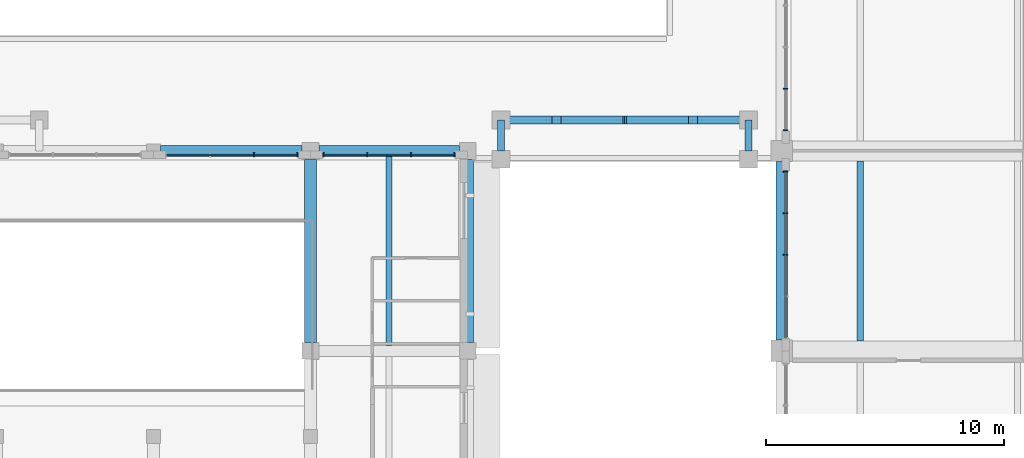
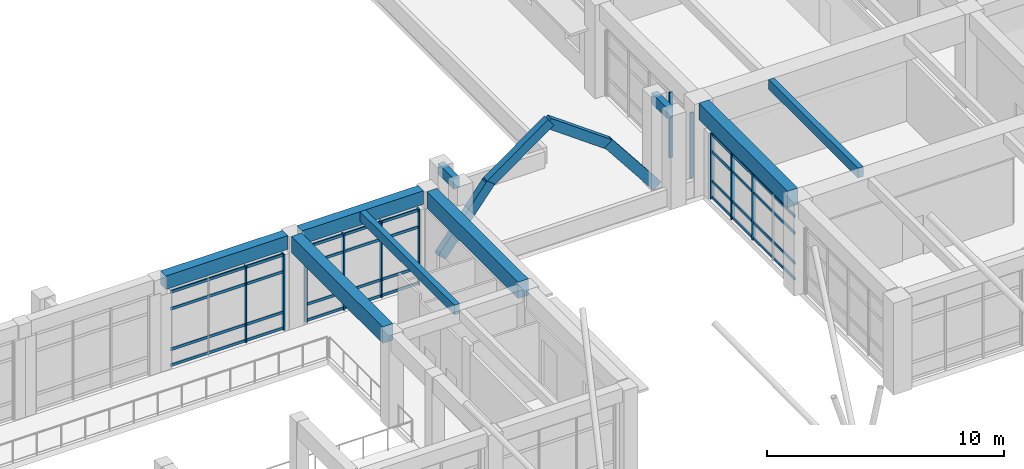
# One storey, part 23 of 75: 27 members, 9 beams, 4 elements without a shape of their own.
"""IFC4 building model written with IfcOpenShell, lengths in metres."""

from ifc_helpers import new_model, si_unit, direction, frame, origin, origin_2d, place, context, subcontext, project, spatial, rectangle, extrude, material, layer, layer_set, material_profile, profile_set, type_object, element, aggregate, save


model = new_model("IFC4")

# Units and contexts
model_context = context("Model", 3, precision=1e-05, world=origin(), true_north=direction((0.0, 1.0)))
body_context = subcontext(model_context, "Body", "Model", "MODEL_VIEW")
ifc_project = project(units=[si_unit("LENGTHUNIT", "METRE"), si_unit("AREAUNIT", "SQUARE_METRE"), si_unit("VOLUMEUNIT", "CUBIC_METRE"), si_unit("PLANEANGLEUNIT", "RADIAN"), si_unit("MASSUNIT", "GRAM", prefix="KILO")], contexts=[model_context])

# Site, building, storey
site_placement = place(None, origin())
site = spatial("IfcSite", under=ifc_project, at=site_placement, CompositionType="ELEMENT")
building_placement = place(site_placement, origin())
building = spatial("IfcBuilding", under=site, at=building_placement, Name="Kolvaren Faculty of Natural Sciences", CompositionType="ELEMENT")
storey_placement = place(building_placement, frame((0.0, 0.0, 5.39990234375)))
storey = spatial("IfcBuildingStorey", under=building, at=storey_placement, Name="L01", CompositionType="ELEMENT", Elevation=5.39990234375)

# Curtain wall, members
ifc_material_1 = material(Name="Thermally broken anodised aluminium framing", Category="aluminium")
ifc_layer_1 = layer(ifc_material_1, 0.179931640625)
ifc_layer_set_1 = layer_set([ifc_layer_1], Name="Thermally broken anodised aluminium framing")
curtain_wall_type_1 = type_object("IfcCurtainWallType", Name="CommonsCurtainWall_CW02", PredefinedType="NOTDEFINED", material=ifc_layer_set_1)
curtain_wall_1_placement = place(storey_placement, origin())
curtain_wall_1 = element("IfcCurtainWall", 1, at=curtain_wall_1_placement, inside=storey, type_object=curtain_wall_type_1, Name="L01 unitised curtain wall CW-02 (CW-L01-034)", PredefinedType="NOTDEFINED")
ifc_material_profile_1 = material_profile(ifc_material_1, rectangle(XDim=0.06005859375, YDim=0.179931640625, at=origin_2d()), Name="ALU MUL 60x180")
ifc_profile_set_1 = profile_set([ifc_material_profile_1], Name="Thermally broken anodised aluminium framing")
member_type_1 = type_object("IfcMemberType", Name="CurtainMullion_60x180", PredefinedType="MULLION", material=ifc_profile_set_1)
member_1_placement = place(storey_placement, frame((119.159912109375, 79.840087890625, 0.0), z_axis=(0.0, 0.0, 1.0), x_axis=(0.0, 1.0, 0.0)))
member_1 = element("IfcMember", 2, at=member_1_placement, type_object=member_type_1, Name="CW-L01-034 vertical mullion 3", PredefinedType="MULLION", context=body_context, shape_type="SweptSolid", body=[
    extrude(rectangle(XDim=0.06005859375, YDim=0.179931640625, at=origin_2d()), origin(), (0.0, 0.0, 1.0), 3.385009765625),
])
member_2_placement = place(storey_placement, frame((119.159912109375, 81.5849609375, 0.0), z_axis=(0.0, 0.0, 1.0), x_axis=(0.0, 1.0, 0.0)))
member_2 = element("IfcMember", 3, at=member_2_placement, type_object=member_type_1, Name="CW-L01-034 vertical mullion 4", PredefinedType="MULLION", context=body_context, shape_type="SweptSolid", body=[
    extrude(rectangle(XDim=0.06005859375, YDim=0.179931640625, at=origin_2d()), origin(), (0.0, 0.0, 1.0), 3.385009765625),
])
member_3_placement = place(storey_placement, frame((119.159912109375, 83.330078125, 0.0), z_axis=(0.0, 0.0, 1.0), x_axis=(0.0, 1.0, 0.0)))
member_3 = element("IfcMember", 4, at=member_3_placement, type_object=member_type_1, Name="CW-L01-034 vertical mullion 5", PredefinedType="MULLION", context=body_context, shape_type="SweptSolid", body=[
    extrude(rectangle(XDim=0.06005859375, YDim=0.179931640625, at=origin_2d()), origin(), (0.0, 0.0, 1.0), 3.385009765625),
])

curtain_wall_2_placement = place(storey_placement, origin())
curtain_wall_2 = element("IfcCurtainWall", 5, at=curtain_wall_2_placement, inside=storey, type_object=curtain_wall_type_1, Name="L01 unitised curtain wall CW-02 (CW-L01-035)", PredefinedType="NOTDEFINED")
member_4_placement = place(storey_placement, frame((119.159912109375, 85.070068359375, 0.0), z_axis=(0.0, 0.0, 1.0), x_axis=(0.0, 1.0, 0.0)))
member_4 = element("IfcMember", 6, at=member_4_placement, type_object=member_type_1, Name="CW-L01-035 vertical mullion 1", PredefinedType="MULLION", context=body_context, shape_type="SweptSolid", body=[
    extrude(rectangle(XDim=0.06005859375, YDim=0.179931640625, at=origin_2d()), origin(), (0.0, 0.0, 1.0), 3.385009765625),
])
member_5_placement = place(storey_placement, frame((119.159912109375, 86.81494140625, 0.0), z_axis=(0.0, 0.0, 1.0), x_axis=(0.0, 1.0, 0.0)))
member_5 = element("IfcMember", 7, at=member_5_placement, type_object=member_type_1, Name="CW-L01-035 vertical mullion 2", PredefinedType="MULLION", context=body_context, shape_type="SweptSolid", body=[
    extrude(rectangle(XDim=0.06005859375, YDim=0.179931640625, at=origin_2d()), origin(), (0.0, 0.0, 1.0), 3.385009765625),
])
aggregate(curtain_wall_2, [member_4, member_5])

ifc_layer_2 = layer(ifc_material_1, 0.179931640625)
ifc_layer_set_2 = layer_set([ifc_layer_2], Name="Thermally broken anodised aluminium framing")
curtain_wall_type_2 = type_object("IfcCurtainWallType", Name="AtriumCurtainWall_CW01", PredefinedType="NOTDEFINED", material=ifc_layer_set_2)
curtain_wall_3_placement = place(storey_placement, origin())
curtain_wall_3 = element("IfcCurtainWall", 8, at=curtain_wall_3_placement, inside=storey, type_object=curtain_wall_type_2, Name="L01 unitised curtain wall CW-01 (CW-L01-060)", PredefinedType="NOTDEFINED")
member_6_placement = place(storey_placement, frame((96.816650390625, 84.0400390625, 0.0), z_axis=(0.0, 0.0, 1.0), x_axis=(1.0, 0.0, 0.0)))
member_6 = element("IfcMember", 9, at=member_6_placement, type_object=member_type_1, Name="CW-L01-060 vertical mullion 3", PredefinedType="MULLION", context=body_context, shape_type="SweptSolid", body=[
    extrude(rectangle(XDim=0.06005859375, YDim=0.179931640625, at=origin_2d()), origin(), (0.0, 0.0, 1.0), 3.93505859375),
])
member_7_placement = place(storey_placement, frame((98.64990234375, 84.0400390625, 0.0), z_axis=(0.0, 0.0, 1.0), x_axis=(1.0, 0.0, 0.0)))
member_7 = element("IfcMember", 10, at=member_7_placement, type_object=member_type_1, Name="CW-L01-060 vertical mullion 4", PredefinedType="MULLION", context=body_context, shape_type="SweptSolid", body=[
    extrude(rectangle(XDim=0.06005859375, YDim=0.179931640625, at=origin_2d()), origin(), (0.0, 0.0, 1.0), 3.93505859375),
])

curtain_wall_4_placement = place(storey_placement, origin())
curtain_wall_4 = element("IfcCurtainWall", 11, at=curtain_wall_4_placement, inside=storey, type_object=curtain_wall_type_2, Name="L01 unitised curtain wall CW-01 (CW-L01-061)", PredefinedType="NOTDEFINED")
member_8_placement = place(storey_placement, frame((99.75, 84.0400390625, 0.0), z_axis=(0.0, 0.0, 1.0), x_axis=(1.0, 0.0, 0.0)))
member_8 = element("IfcMember", 12, at=member_8_placement, type_object=member_type_1, Name="CW-L01-061 vertical mullion 1", PredefinedType="MULLION", context=body_context, shape_type="SweptSolid", body=[
    extrude(rectangle(XDim=0.06005859375, YDim=0.179931640625, at=origin_2d()), origin(), (0.0, 0.0, 1.0), 3.93505859375),
])
member_9_placement = place(storey_placement, frame((101.583251953125, 84.0400390625, 0.0), z_axis=(0.0, 0.0, 1.0), x_axis=(1.0, 0.0, 0.0)))
member_9 = element("IfcMember", 13, at=member_9_placement, type_object=member_type_1, Name="CW-L01-061 vertical mullion 2", PredefinedType="MULLION", context=body_context, shape_type="SweptSolid", body=[
    extrude(rectangle(XDim=0.06005859375, YDim=0.179931640625, at=origin_2d()), origin(), (0.0, 0.0, 1.0), 3.93505859375),
])
member_10_placement = place(storey_placement, frame((103.416748046875, 84.0400390625, 0.0), z_axis=(0.0, 0.0, 1.0), x_axis=(1.0, 0.0, 0.0)))
member_10 = element("IfcMember", 14, at=member_10_placement, type_object=member_type_1, Name="CW-L01-061 vertical mullion 3", PredefinedType="MULLION", context=body_context, shape_type="SweptSolid", body=[
    extrude(rectangle(XDim=0.06005859375, YDim=0.179931640625, at=origin_2d()), origin(), (0.0, 0.0, 1.0), 3.93505859375),
])
member_11_placement = place(storey_placement, frame((105.25, 84.0400390625, 0.0), z_axis=(0.0, 0.0, 1.0), x_axis=(1.0, 0.0, 0.0)))
member_11 = element("IfcMember", 15, at=member_11_placement, type_object=member_type_1, Name="CW-L01-061 vertical mullion 4", PredefinedType="MULLION", context=body_context, shape_type="SweptSolid", body=[
    extrude(rectangle(XDim=0.06005859375, YDim=0.179931640625, at=origin_2d()), origin(), (0.0, 0.0, 1.0), 3.93505859375),
])

# Member
ifc_material_profile_2 = material_profile(ifc_material_1, rectangle(XDim=0.06005859375, YDim=0.139892578125, at=origin_2d()), Name="ALU TRN 60x140")
ifc_profile_set_2 = profile_set([ifc_material_profile_2], Name="Thermally broken anodised aluminium framing")
member_type_2 = type_object("IfcMemberType", Name="CurtainTransom_60x140", PredefinedType="USERDEFINED", material=ifc_profile_set_2)
member_12_placement = place(storey_placement, frame((119.159912109375, 76.35009765625, 0.080078125), z_axis=(0.0, 1.0, 0.0), x_axis=(-1.0, 0.0, 0.0)))
member_12 = element("IfcMember", 16, at=member_12_placement, type_object=member_type_2, Name="CW-L01-034 horizontal transom 1", ObjectType="TRANSOM", PredefinedType="USERDEFINED", context=body_context, shape_type="SweptSolid", body=[
    extrude(rectangle(XDim=0.06005859375, YDim=0.139892578125, at=origin_2d()), origin(), (0.0, 0.0, 1.0), 6.97998046875),
])

member_13_placement = place(storey_placement, frame((119.159912109375, 76.35009765625, 0.900146484375), z_axis=(0.0, 1.0, 0.0), x_axis=(-1.0, 0.0, 0.0)))
member_13 = element("IfcMember", 17, at=member_13_placement, type_object=member_type_2, Name="CW-L01-034 horizontal transom 2", ObjectType="TRANSOM", PredefinedType="USERDEFINED", context=body_context, shape_type="SweptSolid", body=[
    extrude(rectangle(XDim=0.06005859375, YDim=0.139892578125, at=origin_2d()), origin(), (0.0, 0.0, 1.0), 6.97998046875),
])

member_14_placement = place(storey_placement, frame((119.159912109375, 76.35009765625, 2.43505859375), z_axis=(0.0, 1.0, 0.0), x_axis=(-1.0, 0.0, 0.0)))
member_14 = element("IfcMember", 18, at=member_14_placement, type_object=member_type_2, Name="CW-L01-034 horizontal transom 3", ObjectType="TRANSOM", PredefinedType="USERDEFINED", context=body_context, shape_type="SweptSolid", body=[
    extrude(rectangle(XDim=0.06005859375, YDim=0.139892578125, at=origin_2d()), origin(), (0.0, 0.0, 1.0), 6.97998046875),
])

member_15_placement = place(storey_placement, frame((119.159912109375, 76.35009765625, 3.30517578125), z_axis=(0.0, 1.0, 0.0), x_axis=(-1.0, 0.0, 0.0)))
member_15 = element("IfcMember", 19, at=member_15_placement, type_object=member_type_2, Name="CW-L01-034 horizontal transom 4", ObjectType="TRANSOM", PredefinedType="USERDEFINED", context=body_context, shape_type="SweptSolid", body=[
    extrude(rectangle(XDim=0.06005859375, YDim=0.139892578125, at=origin_2d()), origin(), (0.0, 0.0, 1.0), 6.97998046875),
])

aggregate(curtain_wall_1, [member_1, member_2, member_3, member_12, member_13, member_14, member_15])

member_16_placement = place(storey_placement, frame((93.14990234375, 84.0400390625, 0.080078125), z_axis=(1.0, 0.0, 0.0), x_axis=(0.0, 1.0, 0.0)))
member_16 = element("IfcMember", 20, at=member_16_placement, type_object=member_type_2, Name="CW-L01-060 horizontal transom 1", ObjectType="TRANSOM", PredefinedType="USERDEFINED", context=body_context, shape_type="SweptSolid", body=[
    extrude(rectangle(XDim=0.06005859375, YDim=0.139892578125, at=origin_2d()), origin(), (0.0, 0.0, 1.0), 5.5),
])

member_17_placement = place(storey_placement, frame((93.14990234375, 84.0400390625, 0.900146484375), z_axis=(1.0, 0.0, 0.0), x_axis=(0.0, 1.0, 0.0)))
member_17 = element("IfcMember", 21, at=member_17_placement, type_object=member_type_2, Name="CW-L01-060 horizontal transom 2", ObjectType="TRANSOM", PredefinedType="USERDEFINED", context=body_context, shape_type="SweptSolid", body=[
    extrude(rectangle(XDim=0.06005859375, YDim=0.139892578125, at=origin_2d()), origin(), (0.0, 0.0, 1.0), 5.5),
])

member_18_placement = place(storey_placement, frame((93.14990234375, 84.0400390625, 2.985107421875), z_axis=(1.0, 0.0, 0.0), x_axis=(0.0, 1.0, 0.0)))
member_18 = element("IfcMember", 22, at=member_18_placement, type_object=member_type_2, Name="CW-L01-060 horizontal transom 3", ObjectType="TRANSOM", PredefinedType="USERDEFINED", context=body_context, shape_type="SweptSolid", body=[
    extrude(rectangle(XDim=0.06005859375, YDim=0.139892578125, at=origin_2d()), origin(), (0.0, 0.0, 1.0), 5.5),
])

member_19_placement = place(storey_placement, frame((93.14990234375, 84.0400390625, 3.85498046875), z_axis=(1.0, 0.0, 0.0), x_axis=(0.0, 1.0, 0.0)))
member_19 = element("IfcMember", 23, at=member_19_placement, type_object=member_type_2, Name="CW-L01-060 horizontal transom 4", ObjectType="TRANSOM", PredefinedType="USERDEFINED", context=body_context, shape_type="SweptSolid", body=[
    extrude(rectangle(XDim=0.06005859375, YDim=0.139892578125, at=origin_2d()), origin(), (0.0, 0.0, 1.0), 5.5),
])

aggregate(curtain_wall_3, [member_6, member_7, member_16, member_17, member_18, member_19])

member_20_placement = place(storey_placement, frame((99.75, 84.0400390625, 0.080078125), z_axis=(1.0, 0.0, 0.0), x_axis=(0.0, 1.0, 0.0)))
member_20 = element("IfcMember", 24, at=member_20_placement, type_object=member_type_2, Name="CW-L01-061 horizontal transom 1", ObjectType="TRANSOM", PredefinedType="USERDEFINED", context=body_context, shape_type="SweptSolid", body=[
    extrude(rectangle(XDim=0.06005859375, YDim=0.139892578125, at=origin_2d()), origin(), (0.0, 0.0, 1.0), 5.5),
])

member_21_placement = place(storey_placement, frame((99.75, 84.0400390625, 0.900146484375), z_axis=(1.0, 0.0, 0.0), x_axis=(0.0, 1.0, 0.0)))
member_21 = element("IfcMember", 25, at=member_21_placement, type_object=member_type_2, Name="CW-L01-061 horizontal transom 2", ObjectType="TRANSOM", PredefinedType="USERDEFINED", context=body_context, shape_type="SweptSolid", body=[
    extrude(rectangle(XDim=0.06005859375, YDim=0.139892578125, at=origin_2d()), origin(), (0.0, 0.0, 1.0), 5.5),
])

member_22_placement = place(storey_placement, frame((99.75, 84.0400390625, 2.985107421875), z_axis=(1.0, 0.0, 0.0), x_axis=(0.0, 1.0, 0.0)))
member_22 = element("IfcMember", 26, at=member_22_placement, type_object=member_type_2, Name="CW-L01-061 horizontal transom 3", ObjectType="TRANSOM", PredefinedType="USERDEFINED", context=body_context, shape_type="SweptSolid", body=[
    extrude(rectangle(XDim=0.06005859375, YDim=0.139892578125, at=origin_2d()), origin(), (0.0, 0.0, 1.0), 5.5),
])

member_23_placement = place(storey_placement, frame((99.75, 84.0400390625, 3.85498046875), z_axis=(1.0, 0.0, 0.0), x_axis=(0.0, 1.0, 0.0)))
member_23 = element("IfcMember", 27, at=member_23_placement, type_object=member_type_2, Name="CW-L01-061 horizontal transom 4", ObjectType="TRANSOM", PredefinedType="USERDEFINED", context=body_context, shape_type="SweptSolid", body=[
    extrude(rectangle(XDim=0.06005859375, YDim=0.139892578125, at=origin_2d()), origin(), (0.0, 0.0, 1.0), 5.5),
])

aggregate(curtain_wall_4, [member_8, member_9, member_10, member_11, member_20, member_21, member_22, member_23])

# Beams
ifc_material_2 = material(Name="Concrete C35/45", Category="concrete")
ifc_material_profile_3 = material_profile(ifc_material_2, rectangle(XDim=0.260009765625, YDim=0.5, at=origin_2d()), Name="RC JST 260x500")
ifc_profile_set_3 = profile_set([ifc_material_profile_3], Name="Concrete C35/45")
beam_type_1 = type_object("IfcBeamType", Name="LabRibJoist_260x500", PredefinedType="JOIST", material=ifc_profile_set_3)
beam_1_placement = place(storey_placement, frame((102.5, 76.02490234375, 4.550048828125), z_axis=(0.0, 1.0, 0.0), x_axis=(-1.0, 0.0, 0.0)))
element("IfcBeam", 28, at=beam_1_placement, inside=storey, type_object=beam_type_1, Name="L01 ribbed laboratory slab joist JS-50", PredefinedType="JOIST", context=body_context, shape_type="SweptSolid", body=[
    extrude(rectangle(XDim=0.260009765625, YDim=0.5, at=origin_2d()), origin(), (0.0, 0.0, 1.0), 7.9501953125),
])
beam_2_placement = place(storey_placement, frame((122.300048828125, 76.22509765625, 4.550048828125), z_axis=(0.0, 1.0, 0.0), x_axis=(-1.0, 0.0, 0.0)))
element("IfcBeam", 29, at=beam_2_placement, inside=storey, type_object=beam_type_1, Name="L01 ribbed laboratory slab joist JS-50", PredefinedType="JOIST", context=body_context, shape_type="SweptSolid", body=[
    extrude(rectangle(XDim=0.260009765625, YDim=0.5, at=origin_2d()), origin(), (0.0, 0.0, 1.0), 7.5498046875),
])

# Members
ifc_material_3 = material(Name="Precast concrete C35/45", Category="concrete")
ifc_material_profile_4 = material_profile(ifc_material_3, rectangle(XDim=0.320068359375, YDim=0.47998046875, at=origin_2d()), Name="RC ARCH 320x480")
ifc_profile_set_4 = profile_set([ifc_material_profile_4], Name="Precast concrete C35/45")
member_type_3 = type_object("IfcMemberType", Name="MughalPointedArchRib_320x480", PredefinedType="CHORD", material=ifc_profile_set_4)
member_24_placement = place(storey_placement, frame((107.150390625, 85.5, -0.062744140625), z_axis=(0.619412167373, 0.0, 0.785065963413), x_axis=(0.0, 1.0, 0.0)))
element("IfcMember", 30, at=member_24_placement, inside=storey, type_object=member_type_3, Name="Pointed Mughal arch rib ARP-Q-NE segment 1", PredefinedType="CHORD", context=body_context, shape_type="SweptSolid", body=[
    extrude(rectangle(XDim=0.320068359375, YDim=0.47998046875, at=origin_2d()), origin(), (0.0, 0.0, 1.0), 3.85400390625),
])
for number, where, z_axis, x_axis, name in (
    (31, (109.423095703125, 85.5, 2.853271484375), (0.811085877164, 0.0, 0.584927089358), (0.0, 1.0, 0.0), "Pointed Mughal arch rib ARP-Q-NE segment 2"),
    (32, (112.335205078125, 85.5, 5.046875), (0.811085877164, 0.0, -0.584927089358), (0.0, 1.0, 0.0), "Pointed Mughal arch rib ARP-Q-NE segment 3"),
):
    element("IfcMember", number, at=place(storey_placement, frame(where, z_axis=z_axis, x_axis=x_axis)), inside=storey, type_object=member_type_3, Name=name, PredefinedType="CHORD", context=body_context, shape_type="SweptSolid", body=[
        extrude(rectangle(XDim=0.320068359375, YDim=0.47998046875, at=origin_2d()), origin(), (0.0, 0.0, 1.0), 3.750244140625),
    ])
member_25_placement = place(storey_placement, frame((115.262451171875, 85.5, 2.962890625), z_axis=(0.619412167373, 0.0, -0.785065963413), x_axis=(0.0, 1.0, 0.0)))
element("IfcMember", 33, at=member_25_placement, inside=storey, type_object=member_type_3, Name="Pointed Mughal arch rib ARP-Q-NE segment 4", PredefinedType="CHORD", context=body_context, shape_type="SweptSolid", body=[
    extrude(rectangle(XDim=0.320068359375, YDim=0.47998046875, at=origin_2d()), origin(), (0.0, 0.0, 1.0), 3.85400390625),
])

# Beams
ifc_material_profile_5 = material_profile(ifc_material_2, rectangle(XDim=0.300048828125, YDim=0.550048828125, at=origin_2d()), Name="RC SP 300x550")
ifc_profile_set_5 = profile_set([ifc_material_profile_5], Name="Concrete C35/45")
beam_type_2 = type_object("IfcBeamType", Name="PerimeterSpandrel_300x550", PredefinedType="SPANDREL", material=ifc_profile_set_5)
for number, where, z_axis, x_axis, name in (
    (34, (107.199951171875, 84.199951171875, 4.4501953125), (0.0, 1.0, 0.0), (-1.0, 0.0, 0.0), "North-East Square-to-Street Breezeway Pishtaq Portal portal diaphragm tie beam L"),
    (35, (117.60009765625, 84.199951171875, 4.4501953125), (0.0, 1.0, 0.0), (-1.0, 0.0, 0.0), "North-East Square-to-Street Breezeway Pishtaq Portal portal diaphragm tie beam R"),
):
    element("IfcBeam", number, at=place(storey_placement, frame(where, z_axis=z_axis, x_axis=x_axis)), inside=storey, type_object=beam_type_2, Name=name, PredefinedType="SPANDREL", context=body_context, shape_type="SweptSolid", body=[
        extrude(rectangle(XDim=0.300048828125, YDim=0.550048828125, at=origin_2d()), origin(), (0.0, 0.0, 1.0), 1.300048828125),
    ])
ifc_material_profile_6 = material_profile(ifc_material_2, rectangle(XDim=0.449951171875, YDim=0.699951171875, at=origin_2d()), Name="RC SP 450x700")
ifc_profile_set_6 = profile_set([ifc_material_profile_6], Name="Concrete C35/45")
beam_type_3 = type_object("IfcBeamType", Name="PerimeterSpandrel_450x700", PredefinedType="SPANDREL", material=ifc_profile_set_6)
beam_3_placement = place(storey_placement, frame((92.89990234375, 84.199951171875, 4.4501953125), z_axis=(1.0, 0.0, 0.0), x_axis=(0.0, 1.0, 0.0)))
element("IfcBeam", 36, at=beam_3_placement, inside=storey, type_object=beam_type_3, Name="L01 spandrel SP-70 on grid L", PredefinedType="SPANDREL", context=body_context, shape_type="SweptSolid", body=[
    extrude(rectangle(XDim=0.449951171875, YDim=0.699951171875, at=origin_2d()), origin(), (0.0, 0.0, 1.0), 5.9501953125),
])
beam_4_placement = place(storey_placement, frame((99.550048828125, 84.199951171875, 4.4501953125), z_axis=(1.0, 0.0, 0.0), x_axis=(0.0, 1.0, 0.0)))
element("IfcBeam", 37, at=beam_4_placement, inside=storey, type_object=beam_type_3, Name="L01 spandrel SP-70 on grid L", PredefinedType="SPANDREL", context=body_context, shape_type="SweptSolid", body=[
    extrude(rectangle(XDim=0.449951171875, YDim=0.699951171875, at=origin_2d()), origin(), (0.0, 0.0, 1.0), 5.89990234375),
])
ifc_material_profile_7 = material_profile(ifc_material_2, rectangle(XDim=0.5, YDim=0.85009765625, at=origin_2d()), Name="RC BM 500x850")
ifc_profile_set_7 = profile_set([ifc_material_profile_7], Name="Concrete C35/45")
beam_type_4 = type_object("IfcBeamType", Name="PrimaryGirder_500x850", PredefinedType="BEAM", material=ifc_profile_set_7)
for number, where, z_axis, x_axis, name in (
    (38, (99.199951171875, 76.14990234375, 4.375), (0.0, 1.0, 0.0), (-1.0, 0.0, 0.0), "L01 girder BG-85 on grid 16"),
    (39, (105.800048828125, 76.14990234375, 4.375), (0.0, 1.0, 0.0), (-1.0, 0.0, 0.0), "L01 girder BG-85 on grid 17"),
):
    element("IfcBeam", number, at=place(storey_placement, frame(where, z_axis=z_axis, x_axis=x_axis)), inside=storey, type_object=beam_type_4, Name=name, PredefinedType="BEAM", context=body_context, shape_type="SweptSolid", body=[
        extrude(rectangle(XDim=0.5, YDim=0.85009765625, at=origin_2d()), origin(), (0.0, 0.0, 1.0), 7.7001953125),
    ])
beam_5_placement = place(storey_placement, frame((119.0, 76.25, 4.375), z_axis=(0.0, 1.0, 0.0), x_axis=(-1.0, 0.0, 0.0)))
element("IfcBeam", 40, at=beam_5_placement, inside=storey, type_object=beam_type_4, Name="L01 girder BG-85 on grid 19", PredefinedType="BEAM", context=body_context, shape_type="SweptSolid", body=[
    extrude(rectangle(XDim=0.5, YDim=0.85009765625, at=origin_2d()), origin(), (0.0, 0.0, 1.0), 7.5),
])

save(model, "model.ifc")
